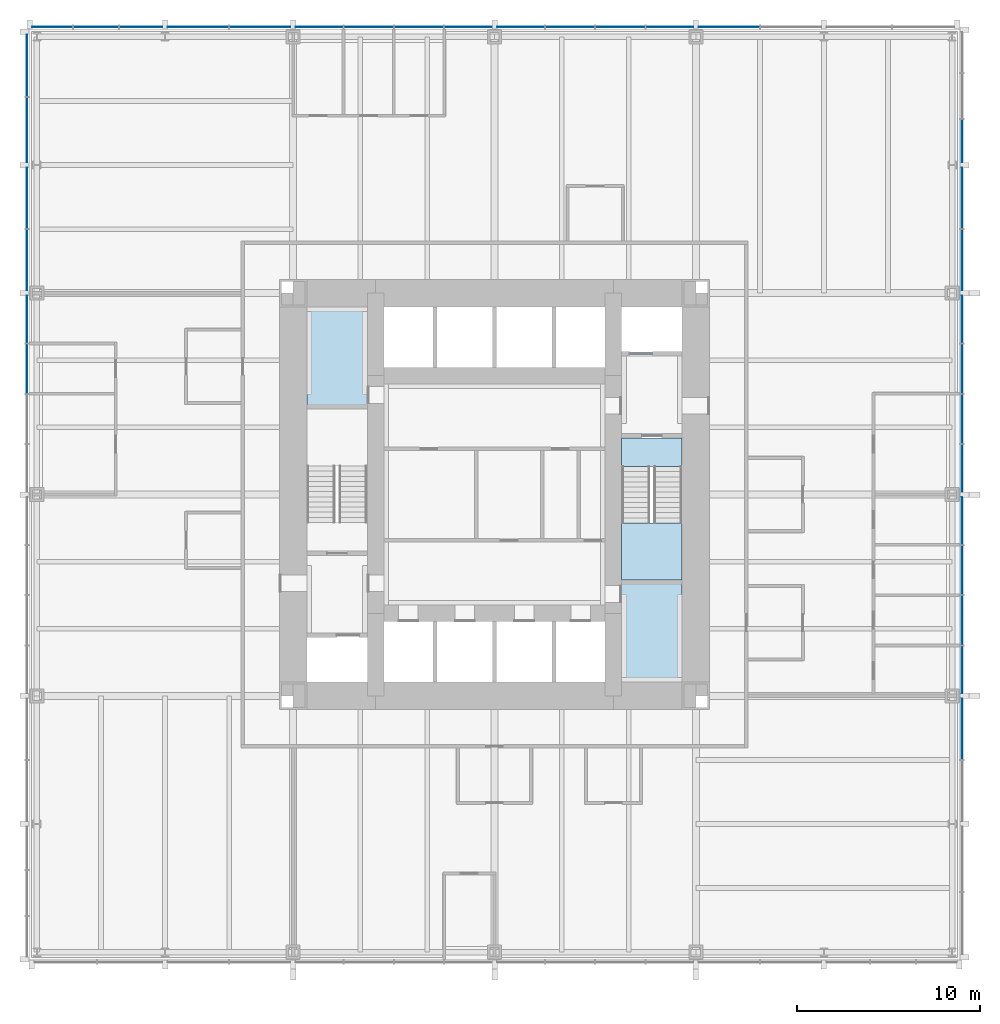
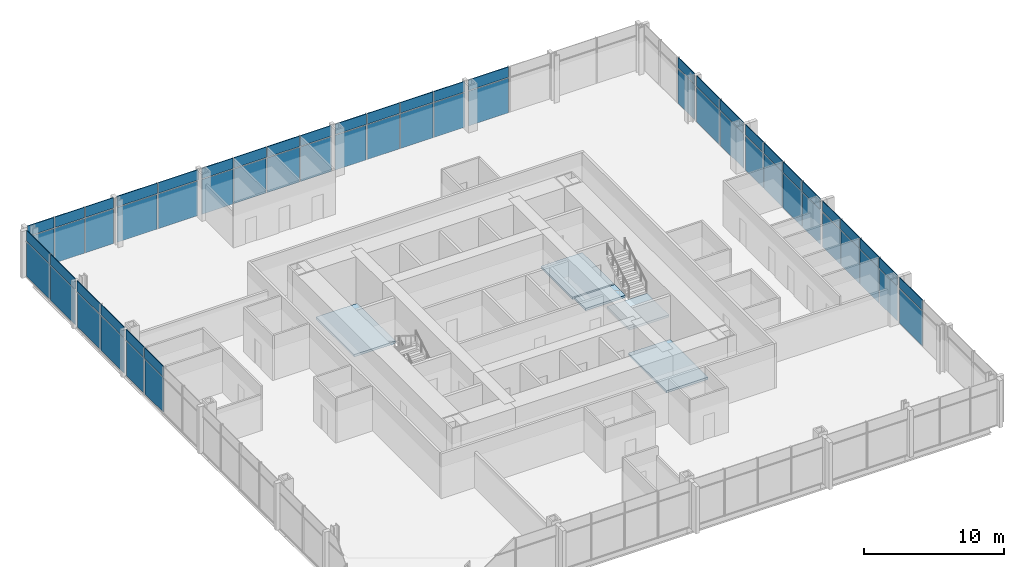
# One storey, part 8 of 12: 64 plates, 5 slabs, 4 elements without a shape of their own.
"""IFC4 building model written with IfcOpenShell, lengths in metres."""

from ifc_helpers import new_model, si_unit, direction, frame, origin, origin_2d, place, context, subcontext, project, spatial, polyline, rectangle, outline, extrude, material, layer, layer_set, type_object, element, aggregate, save


model = new_model("IFC4")

# Units and contexts
model_context = context("Model", 3, precision=1e-05, world=origin(), true_north=direction((0.0, 1.0)))
body_context = subcontext(model_context, "Body", "Model", "MODEL_VIEW")
ifc_project = project(units=[si_unit("LENGTHUNIT", "METRE"), si_unit("AREAUNIT", "SQUARE_METRE"), si_unit("VOLUMEUNIT", "CUBIC_METRE"), si_unit("PLANEANGLEUNIT", "RADIAN"), si_unit("MASSUNIT", "GRAM", prefix="KILO")], contexts=[model_context])

# Site, building, storey
site_placement = place(None, origin())
site = spatial("IfcSite", under=ifc_project, at=site_placement, CompositionType="ELEMENT")
building_placement = place(site_placement, origin())
building = spatial("IfcBuilding", under=site, at=building_placement, Name="Trevanion Tower", CompositionType="ELEMENT")
storey_placement = place(building_placement, frame((0.0, 0.0, 32.39990234375)))
storey = spatial("IfcBuildingStorey", under=building, at=storey_placement, Name="L07", CompositionType="ELEMENT", Elevation=32.39990234375)

# Curtain wall, plates
ifc_material_1 = material(Name="Aluminium and glass", Category="aluminium")
curtain_wall_type = type_object("IfcCurtainWallType", Name="CW1 curtain wall", PredefinedType="USERDEFINED", material=ifc_material_1)
curtain_wall_1_placement = place(storey_placement, origin())
curtain_wall_1 = element("IfcCurtainWall", 1, at=curtain_wall_1_placement, inside=storey, type_object=curtain_wall_type, Name="CW1 L07 0", ObjectType="UNITISED CURTAIN WALL", PredefinedType="USERDEFINED")
ifc_material_2 = material(Name="Aluminium spandrel panel", Category="aluminium")
ifc_layer_1 = layer(ifc_material_2, 0.06005859375)
ifc_layer_set_1 = layer_set([ifc_layer_1], Name="CW1 spandrel panel")
plate_type_1 = type_object("IfcPlateType", Name="CW1 spandrel panel", PredefinedType="CURTAIN_PANEL", material=ifc_layer_set_1)
plate_1_placement = place(storey_placement, frame((25.550048828125, -12.806396484375, 2.99755859375), z_axis=(0.0, 0.0, 1.0), x_axis=(0.0, 1.0, 0.0)))
plate_1 = element("IfcPlate", 2, at=plate_1_placement, type_object=plate_type_1, Name="CW1 panel 4.2", PredefinedType="CURTAIN_PANEL", context=body_context, shape_type="SweptSolid", body=[
    extrude(rectangle(XDim=3.3125, YDim=0.06005859375, at=origin_2d()), origin(), (0.0, 0.0, 1.0), 0.91259765625),
])
plate_2_placement = place(storey_placement, frame((25.550048828125, -9.56884765625, 2.99755859375), z_axis=(0.0, 0.0, 1.0), x_axis=(0.0, 1.0, 0.0)))
plate_2 = element("IfcPlate", 3, at=plate_2_placement, type_object=plate_type_1, Name="CW1 panel 5.2", PredefinedType="CURTAIN_PANEL", context=body_context, shape_type="SweptSolid", body=[
    extrude(rectangle(XDim=2.5625, YDim=0.06005859375, at=origin_2d()), origin(), (0.0, 0.0, 1.0), 0.91259765625),
])
plate_3_placement = place(storey_placement, frame((25.550048828125, -6.875, 2.99755859375), z_axis=(0.0, 0.0, 1.0), x_axis=(0.0, 1.0, 0.0)))
plate_3 = element("IfcPlate", 4, at=plate_3_placement, type_object=plate_type_1, Name="CW1 panel 6.2", PredefinedType="CURTAIN_PANEL", context=body_context, shape_type="SweptSolid", body=[
    extrude(rectangle(XDim=2.675048828125, YDim=0.06005859375, at=origin_2d()), origin(), (0.0, 0.0, 1.0), 0.91259765625),
])
plate_4_placement = place(storey_placement, frame((25.550048828125, -4.125, 2.99755859375), z_axis=(0.0, 0.0, 1.0), x_axis=(0.0, 1.0, 0.0)))
plate_4 = element("IfcPlate", 5, at=plate_4_placement, type_object=plate_type_1, Name="CW1 panel 7.2", PredefinedType="CURTAIN_PANEL", context=body_context, shape_type="SweptSolid", body=[
    extrude(rectangle(XDim=2.675048828125, YDim=0.06005859375, at=origin_2d()), origin(), (0.0, 0.0, 1.0), 0.91259765625),
])
plate_5_placement = place(storey_placement, frame((25.550048828125, -1.43115234375, 2.99755859375), z_axis=(0.0, 0.0, 1.0), x_axis=(0.0, 1.0, 0.0)))
plate_5 = element("IfcPlate", 6, at=plate_5_placement, type_object=plate_type_1, Name="CW1 panel 8.2", PredefinedType="CURTAIN_PANEL", context=body_context, shape_type="SweptSolid", body=[
    extrude(rectangle(XDim=2.5625, YDim=0.06005859375, at=origin_2d()), origin(), (0.0, 0.0, 1.0), 0.91259765625),
])
plate_6_placement = place(storey_placement, frame((25.550048828125, 1.43115234375, 2.99755859375), z_axis=(0.0, 0.0, 1.0), x_axis=(0.0, 1.0, 0.0)))
plate_6 = element("IfcPlate", 7, at=plate_6_placement, type_object=plate_type_1, Name="CW1 panel 9.2", PredefinedType="CURTAIN_PANEL", context=body_context, shape_type="SweptSolid", body=[
    extrude(rectangle(XDim=2.5625, YDim=0.06005859375, at=origin_2d()), origin(), (0.0, 0.0, 1.0), 0.91259765625),
])
plate_7_placement = place(storey_placement, frame((25.550048828125, 4.125, 2.99755859375), z_axis=(0.0, 0.0, 1.0), x_axis=(0.0, 1.0, 0.0)))
plate_7 = element("IfcPlate", 8, at=plate_7_placement, type_object=plate_type_1, Name="CW1 panel 10.2", PredefinedType="CURTAIN_PANEL", context=body_context, shape_type="SweptSolid", body=[
    extrude(rectangle(XDim=2.675048828125, YDim=0.06005859375, at=origin_2d()), origin(), (0.0, 0.0, 1.0), 0.91259765625),
])
plate_8_placement = place(storey_placement, frame((25.550048828125, 6.875, 2.99755859375), z_axis=(0.0, 0.0, 1.0), x_axis=(0.0, 1.0, 0.0)))
plate_8 = element("IfcPlate", 9, at=plate_8_placement, type_object=plate_type_1, Name="CW1 panel 11.2", PredefinedType="CURTAIN_PANEL", context=body_context, shape_type="SweptSolid", body=[
    extrude(rectangle(XDim=2.675048828125, YDim=0.06005859375, at=origin_2d()), origin(), (0.0, 0.0, 1.0), 0.91259765625),
])
plate_9_placement = place(storey_placement, frame((25.550048828125, 9.56884765625, 2.99755859375), z_axis=(0.0, 0.0, 1.0), x_axis=(0.0, 1.0, 0.0)))
plate_9 = element("IfcPlate", 10, at=plate_9_placement, type_object=plate_type_1, Name="CW1 panel 12.2", PredefinedType="CURTAIN_PANEL", context=body_context, shape_type="SweptSolid", body=[
    extrude(rectangle(XDim=2.5625, YDim=0.06005859375, at=origin_2d()), origin(), (0.0, 0.0, 1.0), 0.91259765625),
])
plate_10_placement = place(storey_placement, frame((25.550048828125, 12.80615234375, 2.99755859375), z_axis=(0.0, 0.0, 1.0), x_axis=(0.0, 1.0, 0.0)))
plate_10 = element("IfcPlate", 11, at=plate_10_placement, type_object=plate_type_1, Name="CW1 panel 13.2", PredefinedType="CURTAIN_PANEL", context=body_context, shape_type="SweptSolid", body=[
    extrude(rectangle(XDim=3.3125, YDim=0.06005859375, at=origin_2d()), origin(), (0.0, 0.0, 1.0), 0.91259765625),
])
plate_11_placement = place(storey_placement, frame((25.550048828125, 16.19384765625, 2.99755859375), z_axis=(0.0, 0.0, 1.0), x_axis=(0.0, 1.0, 0.0)))
plate_11 = element("IfcPlate", 12, at=plate_11_placement, type_object=plate_type_1, Name="CW1 panel 14.2", PredefinedType="CURTAIN_PANEL", context=body_context, shape_type="SweptSolid", body=[
    extrude(rectangle(XDim=3.3125, YDim=0.06005859375, at=origin_2d()), origin(), (0.0, 0.0, 1.0), 0.91259765625),
])
plate_12_placement = place(storey_placement, frame((25.550048828125, 19.314697265625, 2.99755859375), z_axis=(0.0, 0.0, 1.0), x_axis=(0.0, 1.0, 0.0)))
plate_12 = element("IfcPlate", 13, at=plate_12_placement, type_object=plate_type_1, Name="CW1 panel 15.2", PredefinedType="CURTAIN_PANEL", context=body_context, shape_type="SweptSolid", body=[
    extrude(rectangle(XDim=2.3291015625, YDim=0.06005859375, at=origin_2d()), origin(), (0.0, 0.0, 1.0), 0.91259765625),
])

curtain_wall_2_placement = place(storey_placement, origin())
curtain_wall_2 = element("IfcCurtainWall", 14, at=curtain_wall_2_placement, inside=storey, type_object=curtain_wall_type, Name="CW1 L07 1", ObjectType="UNITISED CURTAIN WALL", PredefinedType="USERDEFINED")
plate_13_placement = place(storey_placement, frame((12.806396484375, 25.550048828125, 2.99755859375), z_axis=(0.0, 0.0, 1.0), x_axis=(-1.0, 0.0, 0.0)))
plate_13 = element("IfcPlate", 15, at=plate_13_placement, type_object=plate_type_1, Name="CW1 panel 4.2", PredefinedType="CURTAIN_PANEL", context=body_context, shape_type="SweptSolid", body=[
    extrude(rectangle(XDim=3.3125, YDim=0.06005859375, at=origin_2d()), origin(), (0.0, 0.0, 1.0), 0.91259765625),
])
plate_14_placement = place(storey_placement, frame((9.56884765625, 25.550048828125, 2.99755859375), z_axis=(0.0, 0.0, 1.0), x_axis=(-1.0, 0.0, 0.0)))
plate_14 = element("IfcPlate", 16, at=plate_14_placement, type_object=plate_type_1, Name="CW1 panel 5.2", PredefinedType="CURTAIN_PANEL", context=body_context, shape_type="SweptSolid", body=[
    extrude(rectangle(XDim=2.5625, YDim=0.06005859375, at=origin_2d()), origin(), (0.0, 0.0, 1.0), 0.91259765625),
])
plate_15_placement = place(storey_placement, frame((6.875, 25.550048828125, 2.99755859375), z_axis=(0.0, 0.0, 1.0), x_axis=(-1.0, 0.0, 0.0)))
plate_15 = element("IfcPlate", 17, at=plate_15_placement, type_object=plate_type_1, Name="CW1 panel 6.2", PredefinedType="CURTAIN_PANEL", context=body_context, shape_type="SweptSolid", body=[
    extrude(rectangle(XDim=2.675048828125, YDim=0.06005859375, at=origin_2d()), origin(), (0.0, 0.0, 1.0), 0.91259765625),
])
plate_16_placement = place(storey_placement, frame((4.125, 25.550048828125, 2.99755859375), z_axis=(0.0, 0.0, 1.0), x_axis=(-1.0, 0.0, 0.0)))
plate_16 = element("IfcPlate", 18, at=plate_16_placement, type_object=plate_type_1, Name="CW1 panel 7.2", PredefinedType="CURTAIN_PANEL", context=body_context, shape_type="SweptSolid", body=[
    extrude(rectangle(XDim=2.675048828125, YDim=0.06005859375, at=origin_2d()), origin(), (0.0, 0.0, 1.0), 0.91259765625),
])
plate_17_placement = place(storey_placement, frame((1.43115234375, 25.550048828125, 2.99755859375), z_axis=(0.0, 0.0, 1.0), x_axis=(-1.0, 0.0, 0.0)))
plate_17 = element("IfcPlate", 19, at=plate_17_placement, type_object=plate_type_1, Name="CW1 panel 8.2", PredefinedType="CURTAIN_PANEL", context=body_context, shape_type="SweptSolid", body=[
    extrude(rectangle(XDim=2.5625, YDim=0.06005859375, at=origin_2d()), origin(), (0.0, 0.0, 1.0), 0.91259765625),
])
plate_18_placement = place(storey_placement, frame((-1.43115234375, 25.550048828125, 2.99755859375), z_axis=(0.0, 0.0, 1.0), x_axis=(-1.0, 0.0, 0.0)))
plate_18 = element("IfcPlate", 20, at=plate_18_placement, type_object=plate_type_1, Name="CW1 panel 9.2", PredefinedType="CURTAIN_PANEL", context=body_context, shape_type="SweptSolid", body=[
    extrude(rectangle(XDim=2.5625, YDim=0.06005859375, at=origin_2d()), origin(), (0.0, 0.0, 1.0), 0.91259765625),
])
plate_19_placement = place(storey_placement, frame((-4.125, 25.550048828125, 2.99755859375), z_axis=(0.0, 0.0, 1.0), x_axis=(-1.0, 0.0, 0.0)))
plate_19 = element("IfcPlate", 21, at=plate_19_placement, type_object=plate_type_1, Name="CW1 panel 10.2", PredefinedType="CURTAIN_PANEL", context=body_context, shape_type="SweptSolid", body=[
    extrude(rectangle(XDim=2.675048828125, YDim=0.06005859375, at=origin_2d()), origin(), (0.0, 0.0, 1.0), 0.91259765625),
])
plate_20_placement = place(storey_placement, frame((-6.875, 25.550048828125, 2.99755859375), z_axis=(0.0, 0.0, 1.0), x_axis=(-1.0, 0.0, 0.0)))
plate_20 = element("IfcPlate", 22, at=plate_20_placement, type_object=plate_type_1, Name="CW1 panel 11.2", PredefinedType="CURTAIN_PANEL", context=body_context, shape_type="SweptSolid", body=[
    extrude(rectangle(XDim=2.675048828125, YDim=0.06005859375, at=origin_2d()), origin(), (0.0, 0.0, 1.0), 0.91259765625),
])
plate_21_placement = place(storey_placement, frame((-9.56884765625, 25.550048828125, 2.99755859375), z_axis=(0.0, 0.0, 1.0), x_axis=(-1.0, 0.0, 0.0)))
plate_21 = element("IfcPlate", 23, at=plate_21_placement, type_object=plate_type_1, Name="CW1 panel 12.2", PredefinedType="CURTAIN_PANEL", context=body_context, shape_type="SweptSolid", body=[
    extrude(rectangle(XDim=2.5625, YDim=0.06005859375, at=origin_2d()), origin(), (0.0, 0.0, 1.0), 0.91259765625),
])
plate_22_placement = place(storey_placement, frame((-12.80615234375, 25.550048828125, 2.99755859375), z_axis=(0.0, 0.0, 1.0), x_axis=(-1.0, 0.0, 0.0)))
plate_22 = element("IfcPlate", 24, at=plate_22_placement, type_object=plate_type_1, Name="CW1 panel 13.2", PredefinedType="CURTAIN_PANEL", context=body_context, shape_type="SweptSolid", body=[
    extrude(rectangle(XDim=3.3125, YDim=0.06005859375, at=origin_2d()), origin(), (0.0, 0.0, 1.0), 0.91259765625),
])
plate_23_placement = place(storey_placement, frame((-16.19384765625, 25.550048828125, 2.99755859375), z_axis=(0.0, 0.0, 1.0), x_axis=(-1.0, 0.0, 0.0)))
plate_23 = element("IfcPlate", 25, at=plate_23_placement, type_object=plate_type_1, Name="CW1 panel 14.2", PredefinedType="CURTAIN_PANEL", context=body_context, shape_type="SweptSolid", body=[
    extrude(rectangle(XDim=3.3125, YDim=0.06005859375, at=origin_2d()), origin(), (0.0, 0.0, 1.0), 0.91259765625),
])
plate_24_placement = place(storey_placement, frame((-19.314697265625, 25.550048828125, 2.99755859375), z_axis=(0.0, 0.0, 1.0), x_axis=(-1.0, 0.0, 0.0)))
plate_24 = element("IfcPlate", 26, at=plate_24_placement, type_object=plate_type_1, Name="CW1 panel 15.2", PredefinedType="CURTAIN_PANEL", context=body_context, shape_type="SweptSolid", body=[
    extrude(rectangle(XDim=2.3291015625, YDim=0.06005859375, at=origin_2d()), origin(), (0.0, 0.0, 1.0), 0.91259765625),
])
plate_25_placement = place(storey_placement, frame((-21.77490234375, 25.550048828125, 2.99755859375), z_axis=(0.0, 0.0, 1.0), x_axis=(-1.0, 0.0, 0.0)))
plate_25 = element("IfcPlate", 27, at=plate_25_placement, type_object=plate_type_1, Name="CW1 panel 16.2", PredefinedType="CURTAIN_PANEL", context=body_context, shape_type="SweptSolid", body=[
    extrude(rectangle(XDim=2.441650390625, YDim=0.06005859375, at=origin_2d()), origin(), (0.0, 0.0, 1.0), 0.91259765625),
])
plate_26_placement = place(storey_placement, frame((-24.160400390625, 25.550048828125, 2.99755859375), z_axis=(0.0, 0.0, 1.0), x_axis=(-1.0, 0.0, 0.0)))
plate_26 = element("IfcPlate", 28, at=plate_26_placement, type_object=plate_type_1, Name="CW1 panel 17.2", PredefinedType="CURTAIN_PANEL", context=body_context, shape_type="SweptSolid", body=[
    extrude(rectangle(XDim=2.17919921875, YDim=0.06005859375, at=origin_2d()), origin(), (0.0, 0.0, 1.0), 0.91259765625),
])

curtain_wall_3_placement = place(storey_placement, origin())
curtain_wall_3 = element("IfcCurtainWall", 29, at=curtain_wall_3_placement, inside=storey, type_object=curtain_wall_type, Name="CW1 L07 2", ObjectType="UNITISED CURTAIN WALL", PredefinedType="USERDEFINED")
plate_27_placement = place(storey_placement, frame((-25.550048828125, 23.433837890625, 2.99755859375), z_axis=(0.0, 0.0, 1.0), x_axis=(0.0, -1.0, 0.0)))
plate_27 = element("IfcPlate", 30, at=plate_27_placement, type_object=plate_type_1, Name="CW1 panel 1.2", PredefinedType="CURTAIN_PANEL", context=body_context, shape_type="SweptSolid", body=[
    extrude(rectangle(XDim=3.37255859375, YDim=0.06005859375, at=origin_2d()), origin(), (0.0, 0.0, 1.0), 0.91259765625),
])
plate_28_placement = place(storey_placement, frame((-25.550048828125, 19.911376953125, 2.99755859375), z_axis=(0.0, 0.0, 1.0), x_axis=(0.0, -1.0, 0.0)))
plate_28 = element("IfcPlate", 31, at=plate_28_placement, type_object=plate_type_1, Name="CW1 panel 2.2", PredefinedType="CURTAIN_PANEL", context=body_context, shape_type="SweptSolid", body=[
    extrude(rectangle(XDim=3.5224609375, YDim=0.06005859375, at=origin_2d()), origin(), (0.0, 0.0, 1.0), 0.91259765625),
])
plate_29_placement = place(storey_placement, frame((-25.550048828125, 16.19384765625, 2.99755859375), z_axis=(0.0, 0.0, 1.0), x_axis=(0.0, -1.0, 0.0)))
plate_29 = element("IfcPlate", 32, at=plate_29_placement, type_object=plate_type_1, Name="CW1 panel 3.2", PredefinedType="CURTAIN_PANEL", context=body_context, shape_type="SweptSolid", body=[
    extrude(rectangle(XDim=3.3125, YDim=0.06005859375, at=origin_2d()), origin(), (0.0, 0.0, 1.0), 0.91259765625),
])
plate_30_placement = place(storey_placement, frame((-25.550048828125, 12.806396484375, 2.99755859375), z_axis=(0.0, 0.0, 1.0), x_axis=(0.0, -1.0, 0.0)))
plate_30 = element("IfcPlate", 33, at=plate_30_placement, type_object=plate_type_1, Name="CW1 panel 4.2", PredefinedType="CURTAIN_PANEL", context=body_context, shape_type="SweptSolid", body=[
    extrude(rectangle(XDim=3.3125, YDim=0.06005859375, at=origin_2d()), origin(), (0.0, 0.0, 1.0), 0.91259765625),
])
plate_31_placement = place(storey_placement, frame((-25.550048828125, 9.56884765625, 2.99755859375), z_axis=(0.0, 0.0, 1.0), x_axis=(0.0, -1.0, 0.0)))
plate_31 = element("IfcPlate", 34, at=plate_31_placement, type_object=plate_type_1, Name="CW1 panel 5.2", PredefinedType="CURTAIN_PANEL", context=body_context, shape_type="SweptSolid", body=[
    extrude(rectangle(XDim=2.5625, YDim=0.06005859375, at=origin_2d()), origin(), (0.0, 0.0, 1.0), 0.91259765625),
])
plate_32_placement = place(storey_placement, frame((-25.550048828125, 6.875, 2.99755859375), z_axis=(0.0, 0.0, 1.0), x_axis=(0.0, -1.0, 0.0)))
plate_32 = element("IfcPlate", 35, at=plate_32_placement, type_object=plate_type_1, Name="CW1 panel 6.2", PredefinedType="CURTAIN_PANEL", context=body_context, shape_type="SweptSolid", body=[
    extrude(rectangle(XDim=2.675048828125, YDim=0.06005859375, at=origin_2d()), origin(), (0.0, 0.0, 1.0), 0.91259765625),
])

# Plate
ifc_material_3 = material(Name="Insulating glass unit", Category="glass")
ifc_layer_2 = layer(ifc_material_3, 0.028076171875)
ifc_layer_set_2 = layer_set([ifc_layer_2], Name="CW1 vision panel")
plate_type_2 = type_object("IfcPlateType", Name="CW1 vision panel", PredefinedType="CURTAIN_PANEL", material=ifc_layer_set_2)
plate_33_placement = place(storey_placement, frame((25.550048828125, -12.806396484375, -0.114990234375), z_axis=(0.0, 0.0, 1.0), x_axis=(0.0, 1.0, 0.0)))
plate_33 = element("IfcPlate", 36, at=plate_33_placement, type_object=plate_type_2, Name="CW1 panel 4.1", PredefinedType="CURTAIN_PANEL", context=body_context, shape_type="SweptSolid", body=[
    extrude(rectangle(XDim=3.3125, YDim=0.028076171875, at=origin_2d()), origin(), (0.0, 0.0, 1.0), 3.03759765625),
])

plate_34_placement = place(storey_placement, frame((25.550048828125, -9.56884765625, -0.114990234375), z_axis=(0.0, 0.0, 1.0), x_axis=(0.0, 1.0, 0.0)))
plate_34 = element("IfcPlate", 37, at=plate_34_placement, type_object=plate_type_2, Name="CW1 panel 5.1", PredefinedType="CURTAIN_PANEL", context=body_context, shape_type="SweptSolid", body=[
    extrude(rectangle(XDim=2.5625, YDim=0.028076171875, at=origin_2d()), origin(), (0.0, 0.0, 1.0), 3.03759765625),
])

plate_35_placement = place(storey_placement, frame((25.550048828125, -6.875, -0.114990234375), z_axis=(0.0, 0.0, 1.0), x_axis=(0.0, 1.0, 0.0)))
plate_35 = element("IfcPlate", 38, at=plate_35_placement, type_object=plate_type_2, Name="CW1 panel 6.1", PredefinedType="CURTAIN_PANEL", context=body_context, shape_type="SweptSolid", body=[
    extrude(rectangle(XDim=2.675048828125, YDim=0.028076171875, at=origin_2d()), origin(), (0.0, 0.0, 1.0), 3.03759765625),
])

plate_36_placement = place(storey_placement, frame((25.550048828125, -4.125, -0.114990234375), z_axis=(0.0, 0.0, 1.0), x_axis=(0.0, 1.0, 0.0)))
plate_36 = element("IfcPlate", 39, at=plate_36_placement, type_object=plate_type_2, Name="CW1 panel 7.1", PredefinedType="CURTAIN_PANEL", context=body_context, shape_type="SweptSolid", body=[
    extrude(rectangle(XDim=2.675048828125, YDim=0.028076171875, at=origin_2d()), origin(), (0.0, 0.0, 1.0), 3.03759765625),
])

plate_37_placement = place(storey_placement, frame((25.550048828125, -1.43115234375, -0.114990234375), z_axis=(0.0, 0.0, 1.0), x_axis=(0.0, 1.0, 0.0)))
plate_37 = element("IfcPlate", 40, at=plate_37_placement, type_object=plate_type_2, Name="CW1 panel 8.1", PredefinedType="CURTAIN_PANEL", context=body_context, shape_type="SweptSolid", body=[
    extrude(rectangle(XDim=2.5625, YDim=0.028076171875, at=origin_2d()), origin(), (0.0, 0.0, 1.0), 3.03759765625),
])

plate_38_placement = place(storey_placement, frame((25.550048828125, 1.43115234375, -0.114990234375), z_axis=(0.0, 0.0, 1.0), x_axis=(0.0, 1.0, 0.0)))
plate_38 = element("IfcPlate", 41, at=plate_38_placement, type_object=plate_type_2, Name="CW1 panel 9.1", PredefinedType="CURTAIN_PANEL", context=body_context, shape_type="SweptSolid", body=[
    extrude(rectangle(XDim=2.5625, YDim=0.028076171875, at=origin_2d()), origin(), (0.0, 0.0, 1.0), 3.03759765625),
])

plate_39_placement = place(storey_placement, frame((25.550048828125, 4.125, -0.114990234375), z_axis=(0.0, 0.0, 1.0), x_axis=(0.0, 1.0, 0.0)))
plate_39 = element("IfcPlate", 42, at=plate_39_placement, type_object=plate_type_2, Name="CW1 panel 10.1", PredefinedType="CURTAIN_PANEL", context=body_context, shape_type="SweptSolid", body=[
    extrude(rectangle(XDim=2.675048828125, YDim=0.028076171875, at=origin_2d()), origin(), (0.0, 0.0, 1.0), 3.03759765625),
])

plate_40_placement = place(storey_placement, frame((25.550048828125, 6.875, -0.114990234375), z_axis=(0.0, 0.0, 1.0), x_axis=(0.0, 1.0, 0.0)))
plate_40 = element("IfcPlate", 43, at=plate_40_placement, type_object=plate_type_2, Name="CW1 panel 11.1", PredefinedType="CURTAIN_PANEL", context=body_context, shape_type="SweptSolid", body=[
    extrude(rectangle(XDim=2.675048828125, YDim=0.028076171875, at=origin_2d()), origin(), (0.0, 0.0, 1.0), 3.03759765625),
])

plate_41_placement = place(storey_placement, frame((25.550048828125, 9.56884765625, -0.114990234375), z_axis=(0.0, 0.0, 1.0), x_axis=(0.0, 1.0, 0.0)))
plate_41 = element("IfcPlate", 44, at=plate_41_placement, type_object=plate_type_2, Name="CW1 panel 12.1", PredefinedType="CURTAIN_PANEL", context=body_context, shape_type="SweptSolid", body=[
    extrude(rectangle(XDim=2.5625, YDim=0.028076171875, at=origin_2d()), origin(), (0.0, 0.0, 1.0), 3.03759765625),
])

plate_42_placement = place(storey_placement, frame((25.550048828125, 12.80615234375, -0.114990234375), z_axis=(0.0, 0.0, 1.0), x_axis=(0.0, 1.0, 0.0)))
plate_42 = element("IfcPlate", 45, at=plate_42_placement, type_object=plate_type_2, Name="CW1 panel 13.1", PredefinedType="CURTAIN_PANEL", context=body_context, shape_type="SweptSolid", body=[
    extrude(rectangle(XDim=3.3125, YDim=0.028076171875, at=origin_2d()), origin(), (0.0, 0.0, 1.0), 3.03759765625),
])

plate_43_placement = place(storey_placement, frame((25.550048828125, 16.19384765625, -0.114990234375), z_axis=(0.0, 0.0, 1.0), x_axis=(0.0, 1.0, 0.0)))
plate_43 = element("IfcPlate", 46, at=plate_43_placement, type_object=plate_type_2, Name="CW1 panel 14.1", PredefinedType="CURTAIN_PANEL", context=body_context, shape_type="SweptSolid", body=[
    extrude(rectangle(XDim=3.3125, YDim=0.028076171875, at=origin_2d()), origin(), (0.0, 0.0, 1.0), 3.03759765625),
])

plate_44_placement = place(storey_placement, frame((25.550048828125, 19.314697265625, -0.114990234375), z_axis=(0.0, 0.0, 1.0), x_axis=(0.0, 1.0, 0.0)))
plate_44 = element("IfcPlate", 47, at=plate_44_placement, type_object=plate_type_2, Name="CW1 panel 15.1", PredefinedType="CURTAIN_PANEL", context=body_context, shape_type="SweptSolid", body=[
    extrude(rectangle(XDim=2.3291015625, YDim=0.028076171875, at=origin_2d()), origin(), (0.0, 0.0, 1.0), 3.03759765625),
])

aggregate(curtain_wall_1, [plate_33, plate_1, plate_34, plate_2, plate_35, plate_3, plate_36, plate_4, plate_37, plate_5, plate_38, plate_6, plate_39, plate_7, plate_40, plate_8, plate_41, plate_9, plate_42, plate_10, plate_43, plate_11, plate_44, plate_12])

plate_45_placement = place(storey_placement, frame((12.806396484375, 25.550048828125, -0.114990234375), z_axis=(0.0, 0.0, 1.0), x_axis=(-1.0, 0.0, 0.0)))
plate_45 = element("IfcPlate", 48, at=plate_45_placement, type_object=plate_type_2, Name="CW1 panel 4.1", PredefinedType="CURTAIN_PANEL", context=body_context, shape_type="SweptSolid", body=[
    extrude(rectangle(XDim=3.3125, YDim=0.028076171875, at=origin_2d()), origin(), (0.0, 0.0, 1.0), 3.03759765625),
])

plate_46_placement = place(storey_placement, frame((9.56884765625, 25.550048828125, -0.114990234375), z_axis=(0.0, 0.0, 1.0), x_axis=(-1.0, 0.0, 0.0)))
plate_46 = element("IfcPlate", 49, at=plate_46_placement, type_object=plate_type_2, Name="CW1 panel 5.1", PredefinedType="CURTAIN_PANEL", context=body_context, shape_type="SweptSolid", body=[
    extrude(rectangle(XDim=2.5625, YDim=0.028076171875, at=origin_2d()), origin(), (0.0, 0.0, 1.0), 3.03759765625),
])

plate_47_placement = place(storey_placement, frame((6.875, 25.550048828125, -0.114990234375), z_axis=(0.0, 0.0, 1.0), x_axis=(-1.0, 0.0, 0.0)))
plate_47 = element("IfcPlate", 50, at=plate_47_placement, type_object=plate_type_2, Name="CW1 panel 6.1", PredefinedType="CURTAIN_PANEL", context=body_context, shape_type="SweptSolid", body=[
    extrude(rectangle(XDim=2.675048828125, YDim=0.028076171875, at=origin_2d()), origin(), (0.0, 0.0, 1.0), 3.03759765625),
])

plate_48_placement = place(storey_placement, frame((4.125, 25.550048828125, -0.114990234375), z_axis=(0.0, 0.0, 1.0), x_axis=(-1.0, 0.0, 0.0)))
plate_48 = element("IfcPlate", 51, at=plate_48_placement, type_object=plate_type_2, Name="CW1 panel 7.1", PredefinedType="CURTAIN_PANEL", context=body_context, shape_type="SweptSolid", body=[
    extrude(rectangle(XDim=2.675048828125, YDim=0.028076171875, at=origin_2d()), origin(), (0.0, 0.0, 1.0), 3.03759765625),
])

plate_49_placement = place(storey_placement, frame((1.43115234375, 25.550048828125, -0.114990234375), z_axis=(0.0, 0.0, 1.0), x_axis=(-1.0, 0.0, 0.0)))
plate_49 = element("IfcPlate", 52, at=plate_49_placement, type_object=plate_type_2, Name="CW1 panel 8.1", PredefinedType="CURTAIN_PANEL", context=body_context, shape_type="SweptSolid", body=[
    extrude(rectangle(XDim=2.5625, YDim=0.028076171875, at=origin_2d()), origin(), (0.0, 0.0, 1.0), 3.03759765625),
])

plate_50_placement = place(storey_placement, frame((-1.43115234375, 25.550048828125, -0.114990234375), z_axis=(0.0, 0.0, 1.0), x_axis=(-1.0, 0.0, 0.0)))
plate_50 = element("IfcPlate", 53, at=plate_50_placement, type_object=plate_type_2, Name="CW1 panel 9.1", PredefinedType="CURTAIN_PANEL", context=body_context, shape_type="SweptSolid", body=[
    extrude(rectangle(XDim=2.5625, YDim=0.028076171875, at=origin_2d()), origin(), (0.0, 0.0, 1.0), 3.03759765625),
])

plate_51_placement = place(storey_placement, frame((-4.125, 25.550048828125, -0.114990234375), z_axis=(0.0, 0.0, 1.0), x_axis=(-1.0, 0.0, 0.0)))
plate_51 = element("IfcPlate", 54, at=plate_51_placement, type_object=plate_type_2, Name="CW1 panel 10.1", PredefinedType="CURTAIN_PANEL", context=body_context, shape_type="SweptSolid", body=[
    extrude(rectangle(XDim=2.675048828125, YDim=0.028076171875, at=origin_2d()), origin(), (0.0, 0.0, 1.0), 3.03759765625),
])

plate_52_placement = place(storey_placement, frame((-6.875, 25.550048828125, -0.114990234375), z_axis=(0.0, 0.0, 1.0), x_axis=(-1.0, 0.0, 0.0)))
plate_52 = element("IfcPlate", 55, at=plate_52_placement, type_object=plate_type_2, Name="CW1 panel 11.1", PredefinedType="CURTAIN_PANEL", context=body_context, shape_type="SweptSolid", body=[
    extrude(rectangle(XDim=2.675048828125, YDim=0.028076171875, at=origin_2d()), origin(), (0.0, 0.0, 1.0), 3.03759765625),
])

plate_53_placement = place(storey_placement, frame((-9.56884765625, 25.550048828125, -0.114990234375), z_axis=(0.0, 0.0, 1.0), x_axis=(-1.0, 0.0, 0.0)))
plate_53 = element("IfcPlate", 56, at=plate_53_placement, type_object=plate_type_2, Name="CW1 panel 12.1", PredefinedType="CURTAIN_PANEL", context=body_context, shape_type="SweptSolid", body=[
    extrude(rectangle(XDim=2.5625, YDim=0.028076171875, at=origin_2d()), origin(), (0.0, 0.0, 1.0), 3.03759765625),
])

plate_54_placement = place(storey_placement, frame((-12.80615234375, 25.550048828125, -0.114990234375), z_axis=(0.0, 0.0, 1.0), x_axis=(-1.0, 0.0, 0.0)))
plate_54 = element("IfcPlate", 57, at=plate_54_placement, type_object=plate_type_2, Name="CW1 panel 13.1", PredefinedType="CURTAIN_PANEL", context=body_context, shape_type="SweptSolid", body=[
    extrude(rectangle(XDim=3.3125, YDim=0.028076171875, at=origin_2d()), origin(), (0.0, 0.0, 1.0), 3.03759765625),
])

plate_55_placement = place(storey_placement, frame((-16.19384765625, 25.550048828125, -0.114990234375), z_axis=(0.0, 0.0, 1.0), x_axis=(-1.0, 0.0, 0.0)))
plate_55 = element("IfcPlate", 58, at=plate_55_placement, type_object=plate_type_2, Name="CW1 panel 14.1", PredefinedType="CURTAIN_PANEL", context=body_context, shape_type="SweptSolid", body=[
    extrude(rectangle(XDim=3.3125, YDim=0.028076171875, at=origin_2d()), origin(), (0.0, 0.0, 1.0), 3.03759765625),
])

plate_56_placement = place(storey_placement, frame((-19.314697265625, 25.550048828125, -0.114990234375), z_axis=(0.0, 0.0, 1.0), x_axis=(-1.0, 0.0, 0.0)))
plate_56 = element("IfcPlate", 59, at=plate_56_placement, type_object=plate_type_2, Name="CW1 panel 15.1", PredefinedType="CURTAIN_PANEL", context=body_context, shape_type="SweptSolid", body=[
    extrude(rectangle(XDim=2.3291015625, YDim=0.028076171875, at=origin_2d()), origin(), (0.0, 0.0, 1.0), 3.03759765625),
])

plate_57_placement = place(storey_placement, frame((-21.77490234375, 25.550048828125, -0.114990234375), z_axis=(0.0, 0.0, 1.0), x_axis=(-1.0, 0.0, 0.0)))
plate_57 = element("IfcPlate", 60, at=plate_57_placement, type_object=plate_type_2, Name="CW1 panel 16.1", PredefinedType="CURTAIN_PANEL", context=body_context, shape_type="SweptSolid", body=[
    extrude(rectangle(XDim=2.441650390625, YDim=0.028076171875, at=origin_2d()), origin(), (0.0, 0.0, 1.0), 3.03759765625),
])

plate_58_placement = place(storey_placement, frame((-24.160400390625, 25.550048828125, -0.114990234375), z_axis=(0.0, 0.0, 1.0), x_axis=(-1.0, 0.0, 0.0)))
plate_58 = element("IfcPlate", 61, at=plate_58_placement, type_object=plate_type_2, Name="CW1 panel 17.1", PredefinedType="CURTAIN_PANEL", context=body_context, shape_type="SweptSolid", body=[
    extrude(rectangle(XDim=2.17919921875, YDim=0.028076171875, at=origin_2d()), origin(), (0.0, 0.0, 1.0), 3.03759765625),
])

aggregate(curtain_wall_2, [plate_45, plate_13, plate_46, plate_14, plate_47, plate_15, plate_48, plate_16, plate_49, plate_17, plate_50, plate_18, plate_51, plate_19, plate_52, plate_20, plate_53, plate_21, plate_54, plate_22, plate_55, plate_23, plate_56, plate_24, plate_57, plate_25, plate_58, plate_26])

plate_59_placement = place(storey_placement, frame((-25.550048828125, 23.433837890625, -0.114990234375), z_axis=(0.0, 0.0, 1.0), x_axis=(0.0, -1.0, 0.0)))
plate_59 = element("IfcPlate", 62, at=plate_59_placement, type_object=plate_type_2, Name="CW1 panel 1.1", PredefinedType="CURTAIN_PANEL", context=body_context, shape_type="SweptSolid", body=[
    extrude(rectangle(XDim=3.37255859375, YDim=0.028076171875, at=origin_2d()), origin(), (0.0, 0.0, 1.0), 3.03759765625),
])

plate_60_placement = place(storey_placement, frame((-25.550048828125, 19.911376953125, -0.114990234375), z_axis=(0.0, 0.0, 1.0), x_axis=(0.0, -1.0, 0.0)))
plate_60 = element("IfcPlate", 63, at=plate_60_placement, type_object=plate_type_2, Name="CW1 panel 2.1", PredefinedType="CURTAIN_PANEL", context=body_context, shape_type="SweptSolid", body=[
    extrude(rectangle(XDim=3.5224609375, YDim=0.028076171875, at=origin_2d()), origin(), (0.0, 0.0, 1.0), 3.03759765625),
])

plate_61_placement = place(storey_placement, frame((-25.550048828125, 16.19384765625, -0.114990234375), z_axis=(0.0, 0.0, 1.0), x_axis=(0.0, -1.0, 0.0)))
plate_61 = element("IfcPlate", 64, at=plate_61_placement, type_object=plate_type_2, Name="CW1 panel 3.1", PredefinedType="CURTAIN_PANEL", context=body_context, shape_type="SweptSolid", body=[
    extrude(rectangle(XDim=3.3125, YDim=0.028076171875, at=origin_2d()), origin(), (0.0, 0.0, 1.0), 3.03759765625),
])

plate_62_placement = place(storey_placement, frame((-25.550048828125, 12.806396484375, -0.114990234375), z_axis=(0.0, 0.0, 1.0), x_axis=(0.0, -1.0, 0.0)))
plate_62 = element("IfcPlate", 65, at=plate_62_placement, type_object=plate_type_2, Name="CW1 panel 4.1", PredefinedType="CURTAIN_PANEL", context=body_context, shape_type="SweptSolid", body=[
    extrude(rectangle(XDim=3.3125, YDim=0.028076171875, at=origin_2d()), origin(), (0.0, 0.0, 1.0), 3.03759765625),
])

plate_63_placement = place(storey_placement, frame((-25.550048828125, 9.56884765625, -0.114990234375), z_axis=(0.0, 0.0, 1.0), x_axis=(0.0, -1.0, 0.0)))
plate_63 = element("IfcPlate", 66, at=plate_63_placement, type_object=plate_type_2, Name="CW1 panel 5.1", PredefinedType="CURTAIN_PANEL", context=body_context, shape_type="SweptSolid", body=[
    extrude(rectangle(XDim=2.5625, YDim=0.028076171875, at=origin_2d()), origin(), (0.0, 0.0, 1.0), 3.03759765625),
])

plate_64_placement = place(storey_placement, frame((-25.550048828125, 6.875, -0.114990234375), z_axis=(0.0, 0.0, 1.0), x_axis=(0.0, -1.0, 0.0)))
plate_64 = element("IfcPlate", 67, at=plate_64_placement, type_object=plate_type_2, Name="CW1 panel 6.1", PredefinedType="CURTAIN_PANEL", context=body_context, shape_type="SweptSolid", body=[
    extrude(rectangle(XDim=2.675048828125, YDim=0.028076171875, at=origin_2d()), origin(), (0.0, 0.0, 1.0), 3.03759765625),
])

aggregate(curtain_wall_3, [plate_59, plate_27, plate_60, plate_28, plate_61, plate_29, plate_62, plate_30, plate_63, plate_31, plate_64, plate_32])

# Slabs
ifc_material_4 = material(Name="Concrete 5,000 psi", Category="concrete")
ifc_layer_3 = layer(ifc_material_4, 0.199951171875)
ifc_layer_set_3 = layer_set([ifc_layer_3], Name="SL2 core floor 200")
slab_type_1 = type_object("IfcSlabType", Name="SL2 core floor 200", PredefinedType="FLOOR", material=ifc_layer_set_3)
slab_1_placement = place(storey_placement, frame((0.0, 0.0, -0.199951171875)))
element("IfcSlab", 68, at=slab_1_placement, inside=storey, type_object=slab_type_1, Name="SL2 L07 core floor 1", PredefinedType="FLOOR", context=body_context, shape_type="SweptSolid", body=[
    extrude(outline(polyline([(10.25, -4.804931640625), (10.25, -10.25), (6.830078125, -10.25), (6.830078125, -4.804931640625), (10.25, -4.804931640625)])), origin(), (0.0, 0.0, 1.0), 0.199951171875),
])
slab_2_placement = place(storey_placement, frame((0.0, 0.0, -0.199951171875)))
element("IfcSlab", 69, at=slab_2_placement, inside=storey, type_object=slab_type_1, Name="SL2 L07 core floor 4", PredefinedType="FLOOR", context=body_context, shape_type="SweptSolid", body=[
    extrude(outline(polyline([(6.830078125, 3.205078125), (6.830078125, 7.695068359375), (10.25, 7.695068359375), (10.25, 3.205078125), (6.830078125, 3.205078125)])), origin(), (0.0, 0.0, 1.0), 0.199951171875),
])
slab_3_placement = place(storey_placement, frame((0.0, 0.0, -0.199951171875)))
element("IfcSlab", 70, at=slab_3_placement, inside=storey, type_object=slab_type_1, Name="SL2 L07 core floor 5", PredefinedType="FLOOR", context=body_context, shape_type="SweptSolid", body=[
    extrude(outline(polyline([(-6.830078125, 4.804931640625), (-10.25, 4.804931640625), (-10.25, 10.25), (-6.830078125, 10.25), (-6.830078125, 4.804931640625)])), origin(), (0.0, 0.0, 1.0), 0.199951171875),
])

# Stair, slabs
ifc_material_5 = material(Name="Concrete 5,000 psi on steel stringers", Category="concrete")
stair_type = type_object("IfcStairType", Name="ST stair", PredefinedType="HALF_TURN_STAIR", material=ifc_material_5)
stair_placement = place(storey_placement, origin())
stair = element("IfcStair", 71, at=stair_placement, inside=storey, type_object=stair_type, Name="ST1 L07", PredefinedType="HALF_TURN_STAIR")
ifc_material_6 = material(Name="Concrete 5,000 psi in steel pan", Category="concrete")
ifc_layer_4 = layer(ifc_material_6, 0.199951171875)
ifc_layer_set_4 = layer_set([ifc_layer_4], Name="STL stair landing 200")
slab_type_2 = type_object("IfcSlabType", Name="STL stair landing 200", PredefinedType="LANDING", material=ifc_layer_set_4)
slab_4_placement = place(storey_placement, frame((0.0, 0.0, -0.199951171875)))
slab_4 = element("IfcSlab", 72, at=slab_4_placement, type_object=slab_type_2, Name="ST1 landing 1", PredefinedType="LANDING", context=body_context, shape_type="SweptSolid", body=[
    extrude(outline(polyline([(6.949951171875, 1.52490234375), (10.25, 1.52490234375), (10.25, 3.074951171875), (6.949951171875, 3.074951171875), (6.949951171875, 1.52490234375)])), origin(), (0.0, 0.0, 1.0), 0.199951171875),
])
slab_5_placement = place(storey_placement, frame((0.0, 0.0, 1.85009765625)))
slab_5 = element("IfcSlab", 73, at=slab_5_placement, type_object=slab_type_2, Name="ST1 landing 2", PredefinedType="LANDING", context=body_context, shape_type="SweptSolid", body=[
    extrude(outline(polyline([(6.949951171875, -4.675048828125), (10.25, -4.675048828125), (10.25, -1.554931640625), (6.949951171875, -1.554931640625), (6.949951171875, -4.675048828125)])), origin(), (0.0, 0.0, 1.0), 0.199951171875),
])
aggregate(stair, [slab_4, slab_5])

save(model, "model.ifc")
